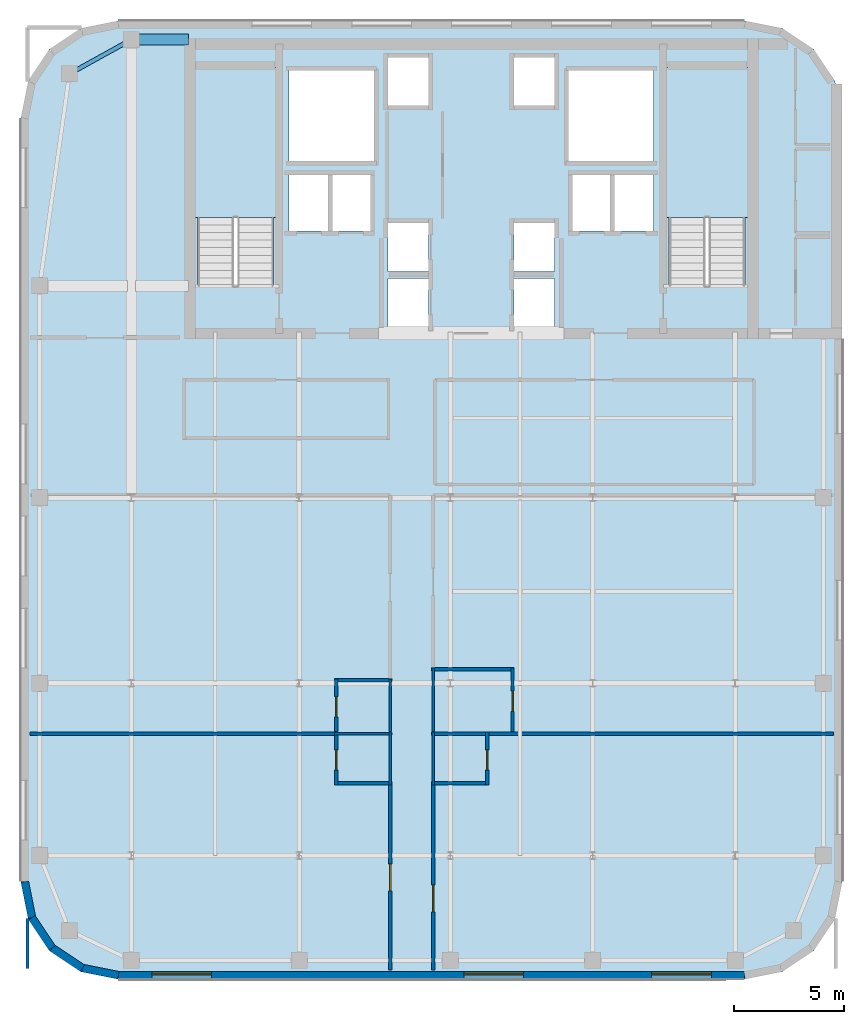
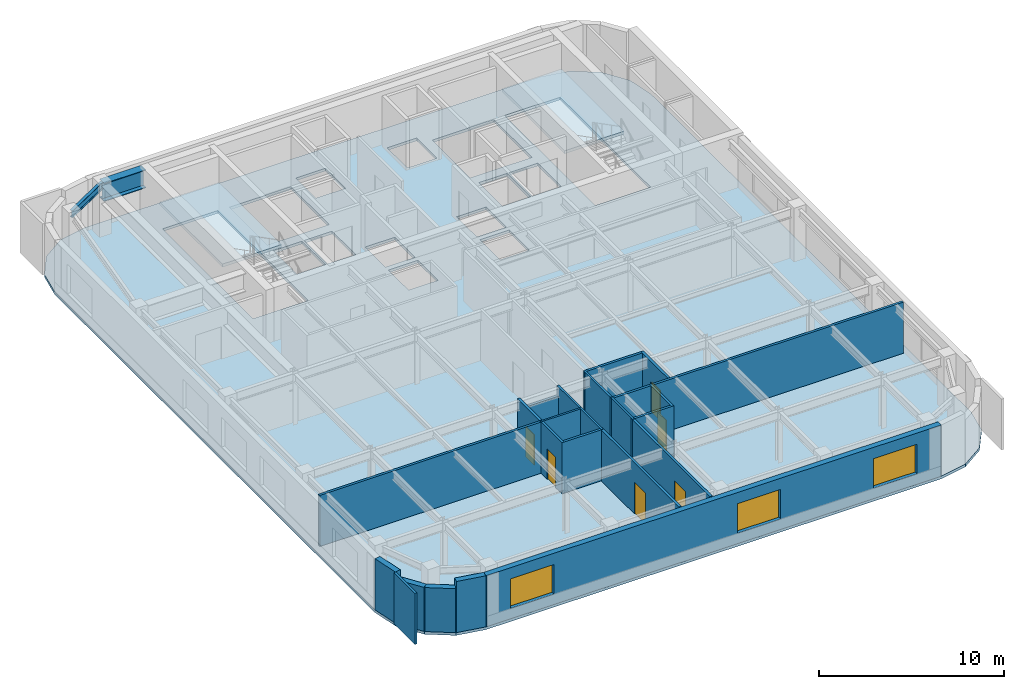
# One storey, part 3 of 10: 23 walls, 6 doors, 3 slabs, 3 windows, 2 beams, 9 openings, 2 elements without a shape of their own.
"""IFC4 building model written with IfcOpenShell, lengths in metres."""

from ifc_helpers import new_model, si_unit, direction, frame, frame_2d, origin, origin_2d, place, context, subcontext, project, spatial, polyline, rectangle, i_section, outline, extrude, source, transform, mapped, material, layer, layer_set, material_profile, profile_set, type_object, type_shapes, element, fill, aggregate, save


model = new_model("IFC4")

# Units and contexts
model_context = context("Model", 3, precision=1e-05, world=origin(), true_north=direction((0.0, 1.0)))
body_context = subcontext(model_context, "Body", "Model", "MODEL_VIEW")
ifc_project = project(units=[si_unit("LENGTHUNIT", "METRE"), si_unit("AREAUNIT", "SQUARE_METRE"), si_unit("VOLUMEUNIT", "CUBIC_METRE"), si_unit("PLANEANGLEUNIT", "RADIAN"), si_unit("MASSUNIT", "GRAM", prefix="KILO")], contexts=[model_context])

# Site, building, storey
site_placement = place(None, origin())
site = spatial("IfcSite", under=ifc_project, at=site_placement, CompositionType="ELEMENT")
building_placement = place(site_placement, origin())
building = spatial("IfcBuilding", under=site, at=building_placement, Name="Tolvann Quenvar Hotel", CompositionType="ELEMENT")
storey_placement = place(building_placement, frame((0.0, 0.0, 220.35009765625)))
storey = spatial("IfcBuildingStorey", under=building, at=storey_placement, Name="L58", CompositionType="ELEMENT", Elevation=220.35009765625)

# Beams
ifc_material_1 = material(Name="Steel Grade 350", Category="steel")
ifc_material_profile_1 = material_profile(ifc_material_1, i_section(OverallWidth=0.5, OverallDepth=1.199951171875, WebThickness=0.01611328125, FlangeThickness=0.0400390625, at=origin_2d()), Name="1200WB455")
ifc_profile_set_1 = profile_set([ifc_material_profile_1], Name="Steel Grade 350")
beam_type_1 = type_object("IfcBeamType", Name="BM_TG_1200WB455", PredefinedType="USERDEFINED", material=ifc_profile_set_1)
shared_shape_1 = source(origin(), body_context, "Body", "SweptSolid", [
    extrude(i_section(OverallWidth=0.5, OverallDepth=1.199951171875, WebThickness=0.01611328125, FlangeThickness=0.0400390625, at=origin_2d()), origin(), (0.0, 0.0, 1.0), 2.599853515625),
])
type_shapes(beam_type_1, [shared_shape_1])
beam_1_placement = place(storey_placement, frame((7.60009765625, 45.14990234375, 2.77001953125), z_axis=(1.0, 0.0, 0.0), x_axis=(0.0, 1.0, 0.0)))
element("IfcBeam", 1, at=beam_1_placement, inside=storey, type_object=beam_type_1, Name="BM-L58-CTW-CN", ObjectType="TRANSFER GIRDER", PredefinedType="USERDEFINED", context=body_context, shape_type="MappedRepresentation", body=[
    mapped(shared_shape_1, transform((0.0, 0.0, 0.0), x_axis=(1.0, 0.0, 0.0), y_axis=(0.0, 1.0, 0.0), z_axis=(0.0, 0.0, 1.0), scale=1.0)),
])
ifc_material_profile_2 = material_profile(ifc_material_1, i_section(OverallWidth=0.19091796875, OverallDepth=0.4599609375, WebThickness=0.010009765625, FlangeThickness=0.01611328125, FilletRadius=0.011474609375, at=origin_2d()), Name="460UB82")
ifc_profile_set_2 = profile_set([ifc_material_profile_2], Name="Steel Grade 350")
beam_type_2 = type_object("IfcBeamType", Name="BM_SPAND_460UB82", PredefinedType="SPANDREL", material=ifc_profile_set_2)
shared_shape_2 = source(origin(), body_context, "Body", "SweptSolid", [
    extrude(i_section(OverallWidth=0.19091796875, OverallDepth=0.4599609375, WebThickness=0.010009765625, FlangeThickness=0.01611328125, FilletRadius=0.011474609375, at=origin_2d()), origin(), (0.0, 0.0, 1.0), 3.200439453125),
])
type_shapes(beam_type_2, [shared_shape_2])
beam_2_placement = place(storey_placement, frame((4.800048828125, 43.60009765625, 3.139892578125), z_axis=(0.87492264453, 0.48426270359, 0.0), x_axis=(-0.48426270359, 0.87492264453, 0.0)))
element("IfcBeam", 2, at=beam_2_placement, inside=storey, type_object=beam_type_2, Name="BM-L58-FLK-W3", PredefinedType="SPANDREL", context=body_context, shape_type="MappedRepresentation", body=[
    mapped(shared_shape_2, transform((0.0, 0.0, 0.0), x_axis=(1.0, 0.0, 0.0), y_axis=(0.0, 1.0, 0.0), z_axis=(0.0, 0.0, 1.0), scale=1.0)),
])

# Stair, slab
ifc_material_2 = material(Name="Concrete N40 (40 MPa)", Category="concrete")
stair_type = type_object("IfcStairType", Name="STAIR", PredefinedType="HALF_TURN_STAIR", material=ifc_material_2)
stair_1_placement = place(storey_placement, origin())
stair_1 = element("IfcStair", 3, at=stair_1_placement, inside=storey, type_object=stair_type, Name="L58 ST-C1", PredefinedType="HALF_TURN_STAIR")
ifc_layer_1 = layer(ifc_material_2, 0.199951171875)
ifc_layer_set_1 = layer_set([ifc_layer_1], Name="Concrete N40 (40 MPa)")
slab_type_1 = type_object("IfcSlabType", Name="SLAB_LANDING", PredefinedType="LANDING", material=ifc_layer_set_1)
slab_1_placement = place(storey_placement, frame((0.0, 0.0, 1.574951171875)))
slab_1 = element("IfcSlab", 4, at=slab_1_placement, type_object=slab_type_1, Name="ST-C1 landing 1", PredefinedType="LANDING", context=body_context, shape_type="SweptSolid", body=[
    extrude(outline(polyline([(14.179931640625, 37.10498046875), (14.179931640625, 43.8798828125), (10.469970703125, 43.8798828125), (10.469970703125, 37.10498046875), (14.179931640625, 37.10498046875)])), origin(), (0.0, 0.0, 1.0), 0.199951171875),
])
aggregate(stair_1, [slab_1])

stair_2_placement = place(storey_placement, origin())
stair_2 = element("IfcStair", 5, at=stair_2_placement, inside=storey, type_object=stair_type, Name="L58 ST-C2", PredefinedType="HALF_TURN_STAIR")
slab_2_placement = place(storey_placement, frame((0.0, 0.0, 1.574951171875)))
slab_2 = element("IfcSlab", 6, at=slab_2_placement, type_object=slab_type_1, Name="ST-C2 landing 1", PredefinedType="LANDING", context=body_context, shape_type="SweptSolid", body=[
    extrude(outline(polyline([(35.530029296875, 37.10498046875), (35.530029296875, 43.8798828125), (31.820068359375, 43.8798828125), (31.820068359375, 37.10498046875), (35.530029296875, 37.10498046875)])), origin(), (0.0, 0.0, 1.0), 0.199951171875),
])
aggregate(stair_2, [slab_2])

# Slab
ifc_layer_2 = layer(ifc_material_2, 0.179931640625)
ifc_layer_set_2 = layer_set([ifc_layer_2], Name="Concrete N40 (40 MPa)")
slab_type_2 = type_object("IfcSlabType", Name="SLAB_TWR_180", PredefinedType="FLOOR", material=ifc_layer_set_2)
slab_3_placement = place(storey_placement, frame((0.0, 0.0, -0.18017578125)))
element("IfcSlab", 7, at=slab_3_placement, inside=storey, type_object=slab_type_2, Name="Level L58 Structural Floor Slab", PredefinedType="FLOOR", context=body_context, shape_type="SweptSolid", body=[
    extrude(outline(polyline([(2.60009765625, 7.0), (2.934814453125, 5.316162109375), (3.888671875, 3.888671875), (5.316162109375, 2.934814453125), (7.0, 2.60009765625), (35.39990234375, 2.60009765625), (37.083740234375, 2.934814453125), (38.51123046875, 3.888671875), (39.465087890625, 5.316162109375), (39.800048828125, 7.0), (39.800048828125, 41.60009765625), (39.465087890625, 43.28369140625), (38.51123046875, 44.711181640625), (37.083740234375, 45.6650390625), (35.39990234375, 46.0), (7.0, 46.0), (5.316162109375, 45.6650390625), (3.888671875, 44.711181640625), (2.934814453125, 43.28369140625), (2.60009765625, 41.60009765625), (2.60009765625, 7.0)]), holes=[polyline([(31.949951171875, 34.02490234375), (31.949951171875, 43.800048828125), (35.39990234375, 43.800048828125), (35.39990234375, 34.02490234375), (31.949951171875, 34.02490234375)]), polyline([(27.39990234375, 43.75), (31.25, 43.75), (31.25, 39.64990234375), (27.39990234375, 39.64990234375), (27.39990234375, 43.75)]), polyline([(29.449951171875, 39.02001953125), (31.25, 39.02001953125), (31.25, 36.47998046875), (29.449951171875, 36.47998046875), (29.449951171875, 39.02001953125)]), polyline([(27.574951171875, 39.02001953125), (29.324951171875, 39.02001953125), (29.324951171875, 36.47998046875), (27.574951171875, 36.47998046875), (27.574951171875, 39.02001953125)]), polyline([(24.929931640625, 36.840087890625), (26.77001953125, 36.840087890625), (26.77001953125, 34.659912109375), (24.929931640625, 34.659912109375), (24.929931640625, 36.840087890625)]), polyline([(24.929931640625, 44.340087890625), (26.77001953125, 44.340087890625), (26.77001953125, 42.159912109375), (24.929931640625, 42.159912109375), (24.929931640625, 44.340087890625)]), polyline([(24.929931640625, 32.159912109375), (24.929931640625, 34.340087890625), (26.77001953125, 34.340087890625), (26.77001953125, 32.159912109375), (24.929931640625, 32.159912109375)]), polyline([(19.22998046875, 36.840087890625), (21.070068359375, 36.840087890625), (21.070068359375, 34.659912109375), (19.22998046875, 34.659912109375), (19.22998046875, 36.840087890625)]), polyline([(19.22998046875, 44.340087890625), (21.070068359375, 44.340087890625), (21.070068359375, 42.159912109375), (19.22998046875, 42.159912109375), (19.22998046875, 44.340087890625)]), polyline([(19.22998046875, 32.159912109375), (19.22998046875, 34.340087890625), (21.070068359375, 34.340087890625), (21.070068359375, 32.159912109375), (19.22998046875, 32.159912109375)]), polyline([(14.75, 43.75), (18.60009765625, 43.75), (18.60009765625, 39.64990234375), (14.75, 39.64990234375), (14.75, 43.75)]), polyline([(16.675048828125, 39.02001953125), (18.425048828125, 39.02001953125), (18.425048828125, 36.47998046875), (16.675048828125, 36.47998046875), (16.675048828125, 39.02001953125)]), polyline([(14.75, 39.02001953125), (16.550048828125, 39.02001953125), (16.550048828125, 36.47998046875), (14.75, 36.47998046875), (14.75, 39.02001953125)]), polyline([(10.60009765625, 34.02490234375), (10.60009765625, 43.800048828125), (14.050048828125, 43.800048828125), (14.050048828125, 34.02490234375), (10.60009765625, 34.02490234375)])]), origin(), (0.0, 0.0, 1.0), 0.18017578125),
])

# Walls
ifc_material_3 = material(Name="Kiln-fired red and buff architectural clay brickwork and terracotta masonry", Category="masonry")
ifc_layer_3 = layer(ifc_material_3, 0.35009765625)
ifc_layer_set_3 = layer_set([ifc_layer_3], Name="Kiln-fired red and buff architectural clay brickwork and terracotta masonry")
wall_type_1 = type_object("IfcWallType", Name="WALL_EXT_BRICK_350", PredefinedType="SOLIDWALL", material=ifc_layer_set_3)
for number, where, z_axis, x_axis, name in (
    (8, (3.099609375, 5.384521484375, 0.0), (0.0, 0.0, 1.0), (0.555623290322, -0.831434158098, 0.0), "Exterior Chicago Brick Wall L58-E01"),
    (9, (4.014892578125, 4.014892578125, 0.0), (0.0, 0.0, 1.0), (0.831434158098, -0.555623290322, 0.0), "Exterior Chicago Brick Wall L58-E02"),
):
    element("IfcWall", number, at=place(storey_placement, frame(where, z_axis=z_axis, x_axis=x_axis)), inside=storey, type_object=wall_type_1, Name=name, PredefinedType="SOLIDWALL", context=body_context, shape_type="SweptSolid", body=[
        extrude(rectangle(XDim=1.647216796875, YDim=0.35009765625, at=frame_2d((0.82373046875, 0.0))), origin(), (0.0, 0.0, 1.0), 2.89990234375),
    ])
wall_1_placement = place(storey_placement, frame((5.384521484375, 3.099609375, 0.0), z_axis=(0.0, 0.0, 1.0), x_axis=(0.980788844421, -0.195072403631, 0.0)))
element("IfcWall", 10, at=wall_1_placement, inside=storey, type_object=wall_type_1, Name="Exterior Chicago Brick Wall L58-E03", PredefinedType="SOLIDWALL", context=body_context, shape_type="SweptSolid", body=[
    extrude(rectangle(XDim=1.66455078125, YDim=0.35009765625, at=frame_2d((0.832275390625, 0.0))), origin(), (0.0, 0.0, 1.0), 3.369873046875),
])

# Wall, openings, windows
wall_2_placement = place(storey_placement, frame((7.01708984375, 2.77490234375, 0.0), z_axis=(0.0, 0.0, 1.0), x_axis=(1.0, 0.0, 0.0)))
wall_2 = element("IfcWall", 11, at=wall_2_placement, inside=storey, type_object=wall_type_1, Name="Exterior Chicago Brick Wall L58-E04", PredefinedType="SOLIDWALL", context=body_context, shape_type="SweptSolid", body=[
    extrude(rectangle(XDim=28.36572265625, YDim=0.35009765625, at=frame_2d((14.182861328125, 0.0))), origin(), (0.0, 0.0, 1.0), 3.369873046875),
])
opening_1_placement = place(wall_2_placement, frame((1.513916015625, 0.0, 0.679931640625)))
opening_1 = element("IfcOpeningElement", 12, at=opening_1_placement, cuts=wall_2, Name="Opening W-04", PredefinedType="OPENING", context=body_context, shape_type="SweptSolid", body=[
    extrude(rectangle(XDim=2.699951171875, YDim=1.949951171875, at=frame_2d((1.35009765625, 0.97509765625))), frame((0.0, 0.18505859375, 0.0), z_axis=(0.0, -1.0, 0.0), x_axis=(1.0, 0.0, 0.0)), (0.0, 0.0, 1.0), 0.3701171875),
])
opening_2_placement = place(wall_2_placement, frame((15.64697265625, 0.0, 0.679931640625)))
opening_2 = element("IfcOpeningElement", 13, at=opening_2_placement, cuts=wall_2, Name="Opening W-04", PredefinedType="OPENING", context=body_context, shape_type="SweptSolid", body=[
    extrude(rectangle(XDim=2.699951171875, YDim=1.949951171875, at=frame_2d((1.35009765625, 0.97509765625))), frame((0.0, 0.18505859375, 0.0), z_axis=(0.0, -1.0, 0.0), x_axis=(1.0, 0.0, 0.0)), (0.0, 0.0, 1.0), 0.3701171875),
])
opening_3_placement = place(wall_2_placement, frame((24.152099609375, 0.0, 0.679931640625)))
opening_3 = element("IfcOpeningElement", 14, at=opening_3_placement, cuts=wall_2, Name="Opening W-04", PredefinedType="OPENING", context=body_context, shape_type="SweptSolid", body=[
    extrude(rectangle(XDim=2.699951171875, YDim=1.949951171875, at=frame_2d((1.35009765625, 0.97509765625))), frame((0.0, 0.18505859375, 0.0), z_axis=(0.0, -1.0, 0.0), x_axis=(1.0, 0.0, 0.0)), (0.0, 0.0, 1.0), 0.3701171875),
])
ifc_material_4 = material(Name="Thermally broken bronze-anodised aluminium frame with double low-E glazing", Category="aluminium")
window_type = type_object("IfcWindowType", Name="WIN_STE_2700x2150", PartitioningType="TRIPLE_PANEL_HORIZONTAL", PredefinedType="WINDOW", material=ifc_material_4)
shared_shape_3 = source(origin(), body_context, "Body", "SweptSolid", [
    extrude(rectangle(XDim=2.699951171875, YDim=1.949951171875, at=frame_2d((1.35009765625, 0.97509765625))), frame((0.0, 0.090087890625, 0.0), z_axis=(0.0, -1.0, 0.0), x_axis=(1.0, 0.0, 0.0)), (0.0, 0.0, 1.0), 0.06005859375),
])
type_shapes(window_type, [shared_shape_3])
window_1_placement = place(opening_1_placement, origin())
window_1 = element("IfcWindow", 15, at=window_1_placement, inside=storey, type_object=window_type, Name="Chicago Window W-04 (EW-L58-E04-W01)", OverallHeight=1.949951171875, OverallWidth=2.699951171875, PartitioningType="TRIPLE_PANEL_HORIZONTAL", PredefinedType="WINDOW", context=body_context, shape_type="MappedRepresentation", body=[
    mapped(shared_shape_3, transform((0.0, 0.0, 0.0), x_axis=(1.0, 0.0, 0.0), y_axis=(0.0, 1.0, 0.0), z_axis=(0.0, 0.0, 1.0), scale=1.0)),
])
fill(opening_1, window_1)
window_2_placement = place(opening_2_placement, origin())
window_2 = element("IfcWindow", 16, at=window_2_placement, inside=storey, type_object=window_type, Name="Chicago Window W-04 (EW-L58-E04-W02)", OverallHeight=1.949951171875, OverallWidth=2.699951171875, PartitioningType="TRIPLE_PANEL_HORIZONTAL", PredefinedType="WINDOW", context=body_context, shape_type="MappedRepresentation", body=[
    mapped(shared_shape_3, transform((0.0, 0.0, 0.0), x_axis=(1.0, 0.0, 0.0), y_axis=(0.0, 1.0, 0.0), z_axis=(0.0, 0.0, 1.0), scale=1.0)),
])
fill(opening_2, window_2)
window_3_placement = place(opening_3_placement, origin())
window_3 = element("IfcWindow", 17, at=window_3_placement, inside=storey, type_object=window_type, Name="Chicago Window W-04 (EW-L58-E04-W03)", OverallHeight=1.949951171875, OverallWidth=2.699951171875, PartitioningType="TRIPLE_PANEL_HORIZONTAL", PredefinedType="WINDOW", context=body_context, shape_type="MappedRepresentation", body=[
    mapped(shared_shape_3, transform((0.0, 0.0, 0.0), x_axis=(1.0, 0.0, 0.0), y_axis=(0.0, 1.0, 0.0), z_axis=(0.0, 0.0, 1.0), scale=1.0)),
])
fill(opening_3, window_3)

# Walls
wall_3_placement = place(storey_placement, frame((2.77490234375, 7.01708984375, 0.0), z_axis=(0.0, 0.0, 1.0), x_axis=(0.195072403631, -0.980788844421, 0.0)))
element("IfcWall", 18, at=wall_3_placement, inside=storey, type_object=wall_type_1, Name="Exterior Chicago Brick Wall L58-E20", PredefinedType="SOLIDWALL", context=body_context, shape_type="SweptSolid", body=[
    extrude(rectangle(XDim=1.66455078125, YDim=0.35009765625, at=frame_2d((0.832275390625, 0.0))), origin(), (0.0, 0.0, 1.0), 3.369873046875),
])
ifc_material_5 = material(Name="Moisture-resistant acoustic plumbing wall assembly")
ifc_layer_4 = layer(ifc_material_5, 0.1201171875)
ifc_layer_set_4 = layer_set([ifc_layer_4], Name="Moisture-resistant acoustic plumbing wall assembly")
wall_type_2 = type_object("IfcWallType", Name="WALL_PART_BATH_120", PredefinedType="PLUMBINGWALL", material=ifc_layer_set_4)
wall_4_placement = place(storey_placement, frame((16.81005859375, 13.719970703125, 0.0), z_axis=(0.0, 0.0, 1.0), x_axis=(1.0, 0.0, 0.0)))
element("IfcWall", 19, at=wall_4_placement, inside=storey, type_object=wall_type_2, Name="Non-Rated Plumbing Partition PT-SPC-L58-ENS-WO01-N", PredefinedType="PLUMBINGWALL", context=body_context, shape_type="SweptSolid", body=[
    extrude(rectangle(XDim=2.58984375, YDim=0.1201171875, at=frame_2d((1.294921875, 0.0))), origin(), (0.0, 0.0, 1.0), 3.369873046875),
])
wall_5_placement = place(storey_placement, frame((19.330078125, 11.39990234375, 0.0), z_axis=(0.0, 0.0, 1.0), x_axis=(0.0, 1.0, 0.0)))
element("IfcWall", 20, at=wall_5_placement, inside=storey, type_object=wall_type_2, Name="Non-Rated Plumbing Partition PT-SPC-L58-ENS-WO01-E", PredefinedType="PLUMBINGWALL", context=body_context, shape_type="SweptSolid", body=[
    extrude(rectangle(XDim=2.39013671875, YDim=0.1201171875, at=frame_2d((1.195068359375, 0.0))), origin(), (0.0, 0.0, 1.0), 3.369873046875),
])
wall_6_placement = place(storey_placement, frame((19.330078125, 13.81005859375, 0.0), z_axis=(0.0, 0.0, 1.0), x_axis=(0.0, 1.0, 0.0)))
element("IfcWall", 21, at=wall_6_placement, inside=storey, type_object=wall_type_2, Name="Non-Rated Plumbing Partition PT-SPC-L58-ENS-WO02-E", PredefinedType="PLUMBINGWALL", context=body_context, shape_type="SweptSolid", body=[
    extrude(rectangle(XDim=2.389892578125, YDim=0.1201171875, at=frame_2d((1.19482421875, 0.0))), origin(), (0.0, 0.0, 1.0), 3.369873046875),
])
wall_7_placement = place(storey_placement, frame((21.27001953125, 11.39990234375, 0.0), z_axis=(0.0, 0.0, 1.0), x_axis=(0.0, 1.0, 0.0)))
element("IfcWall", 22, at=wall_7_placement, inside=storey, type_object=wall_type_2, Name="Non-Rated Plumbing Partition PT-SPC-L58-ENS-EO01-W", PredefinedType="PLUMBINGWALL", context=body_context, shape_type="SweptSolid", body=[
    extrude(rectangle(XDim=2.39013671875, YDim=0.1201171875, at=frame_2d((1.195068359375, 0.0))), origin(), (0.0, 0.0, 1.0), 3.369873046875),
])
wall_8_placement = place(storey_placement, frame((21.27001953125, 13.81005859375, 0.0), z_axis=(0.0, 0.0, 1.0), x_axis=(0.0, 1.0, 0.0)))
element("IfcWall", 23, at=wall_8_placement, inside=storey, type_object=wall_type_2, Name="Non-Rated Plumbing Partition PT-SPC-L58-ENS-EO02-W", PredefinedType="PLUMBINGWALL", context=body_context, shape_type="SweptSolid", body=[
    extrude(rectangle(XDim=2.889892578125, YDim=0.1201171875, at=frame_2d((1.44482421875, 0.0))), origin(), (0.0, 0.0, 1.0), 3.369873046875),
])

# Wall, opening, door
ifc_material_6 = material(Name="Acoustic twin-stud fire-rated gypsum plasterboard partition")
ifc_layer_5 = layer(ifc_material_6, 0.14990234375)
ifc_layer_set_5 = layer_set([ifc_layer_5], Name="Acoustic twin-stud fire-rated gypsum plasterboard partition")
wall_type_3 = type_object("IfcWallType", Name="WALL_PART_SUITE_150", PredefinedType="PARTITIONING", material=ifc_layer_set_5)
wall_9_placement = place(storey_placement, frame((16.8798828125, 11.39990234375, 0.0), z_axis=(0.0, 0.0, 1.0), x_axis=(0.0, 1.0, 0.0)))
wall_9 = element("IfcWall", 24, at=wall_9_placement, inside=storey, type_object=wall_type_3, Name="Interior Partition PT-SPC-L58-ENS-WO01-ENT", PredefinedType="PARTITIONING", context=body_context, shape_type="SweptSolid", body=[
    extrude(rectangle(XDim=2.39013671875, YDim=0.14990234375, at=frame_2d((1.195068359375, 0.0))), origin(), (0.0, 0.0, 1.0), 3.369873046875),
])
opening_4_placement = place(wall_9_placement, frame((0.6650390625, 0.0, 0.0)))
opening_4 = element("IfcOpeningElement", 25, at=opening_4_placement, cuts=wall_9, Name="Opening WD-01", PredefinedType="OPENING", context=body_context, shape_type="SweptSolid", body=[
    extrude(rectangle(XDim=0.919921875, YDim=2.010009765625, at=frame_2d((0.4599609375, 1.0048828125))), frame((0.0, 0.0849609375, 0.0), z_axis=(0.0, -1.0, 0.0), x_axis=(1.0, 0.0, 0.0)), (0.0, 0.0, 1.0), 0.169921875),
])
ifc_material_7 = material(Name="Solid-core American oak acoustic fire door leaf in steel frame", Category="steel")
door_type_1 = type_object("IfcDoorType", Name="DOOR_WC_920", OperationType="NOTDEFINED", PredefinedType="DOOR", material=ifc_material_7)
shared_shape_4 = source(origin(), body_context, "Body", "SweptSolid", [
    extrude(rectangle(XDim=0.919921875, YDim=2.010009765625, at=frame_2d((0.4599609375, 1.0048828125))), frame((0.0, 0.02490234375, 0.0), z_axis=(0.0, -1.0, 0.0), x_axis=(1.0, 0.0, 0.0)), (0.0, 0.0, 1.0), 0.050048828125),
])
type_shapes(door_type_1, [shared_shape_4])
door_1_placement = place(opening_4_placement, origin())
door_1 = element("IfcDoor", 26, at=door_1_placement, inside=storey, type_object=door_type_1, Name="Interior Door DOOR-SPC-L58-ENS-WO01", OperationType="SINGLE_SWING_LEFT", OverallHeight=2.010009765625, OverallWidth=0.919921875, PredefinedType="DOOR", context=body_context, shape_type="MappedRepresentation", body=[
    mapped(shared_shape_4, transform((0.0, 0.0, 0.0), x_axis=(1.0, 0.0, 0.0), y_axis=(0.0, 1.0, 0.0), z_axis=(0.0, 0.0, 1.0), scale=1.0)),
])
fill(opening_4, door_1)

# Wall
wall_10_placement = place(storey_placement, frame((16.81005859375, 11.469970703125, 0.0), z_axis=(0.0, 0.0, 1.0), x_axis=(1.0, 0.0, 0.0)))
element("IfcWall", 27, at=wall_10_placement, inside=storey, type_object=wall_type_3, Name="Interior Partition PT-SPC-L58-ENS-WO01-S", PredefinedType="PARTITIONING", context=body_context, shape_type="SweptSolid", body=[
    extrude(rectangle(XDim=2.58984375, YDim=0.14990234375, at=frame_2d((1.294921875, 0.0))), origin(), (0.0, 0.0, 1.0), 3.369873046875),
])

# Wall, opening, door
wall_11_placement = place(storey_placement, frame((16.8798828125, 13.81005859375, 0.0), z_axis=(0.0, 0.0, 1.0), x_axis=(0.0, 1.0, 0.0)))
wall_11 = element("IfcWall", 28, at=wall_11_placement, inside=storey, type_object=wall_type_3, Name="Interior Partition PT-SPC-L58-ENS-WO02-ENT", PredefinedType="PARTITIONING", context=body_context, shape_type="SweptSolid", body=[
    extrude(rectangle(XDim=2.389892578125, YDim=0.14990234375, at=frame_2d((1.19482421875, 0.0))), origin(), (0.0, 0.0, 1.0), 3.369873046875),
])
opening_5_placement = place(wall_11_placement, frame((0.6650390625, 0.0, 0.0)))
opening_5 = element("IfcOpeningElement", 29, at=opening_5_placement, cuts=wall_11, Name="Opening WD-01", PredefinedType="OPENING", context=body_context, shape_type="SweptSolid", body=[
    extrude(rectangle(XDim=0.919921875, YDim=2.010009765625, at=frame_2d((0.4599609375, 1.0048828125))), frame((0.0, 0.0849609375, 0.0), z_axis=(0.0, -1.0, 0.0), x_axis=(1.0, 0.0, 0.0)), (0.0, 0.0, 1.0), 0.169921875),
])
door_2_placement = place(opening_5_placement, origin())
door_2 = element("IfcDoor", 30, at=door_2_placement, inside=storey, type_object=door_type_1, Name="Interior Door DOOR-SPC-L58-ENS-WO02", OperationType="SINGLE_SWING_RIGHT", OverallHeight=2.010009765625, OverallWidth=0.919921875, PredefinedType="DOOR", context=body_context, shape_type="MappedRepresentation", body=[
    mapped(shared_shape_4, transform((0.0, 0.0, 0.0), x_axis=(1.0, 0.0, 0.0), y_axis=(0.0, 1.0, 0.0), z_axis=(0.0, 0.0, 1.0), scale=1.0)),
])
fill(opening_5, door_2)

# Wall
wall_12_placement = place(storey_placement, frame((16.81005859375, 16.1298828125, 0.0), z_axis=(0.0, 0.0, 1.0), x_axis=(1.0, 0.0, 0.0)))
element("IfcWall", 31, at=wall_12_placement, inside=storey, type_object=wall_type_3, Name="Interior Partition PT-SPC-L58-ENS-WO02-N", PredefinedType="PARTITIONING", context=body_context, shape_type="SweptSolid", body=[
    extrude(rectangle(XDim=2.58984375, YDim=0.14990234375, at=frame_2d((1.294921875, 0.0))), origin(), (0.0, 0.0, 1.0), 2.7578125),
])

# Wall, opening, door
wall_13_placement = place(storey_placement, frame((23.719970703125, 11.39990234375, 0.0), z_axis=(0.0, 0.0, 1.0), x_axis=(0.0, 1.0, 0.0)))
wall_13 = element("IfcWall", 32, at=wall_13_placement, inside=storey, type_object=wall_type_3, Name="Interior Partition PT-SPC-L58-ENS-EO01-ENT", PredefinedType="PARTITIONING", context=body_context, shape_type="SweptSolid", body=[
    extrude(rectangle(XDim=2.39013671875, YDim=0.14990234375, at=frame_2d((1.195068359375, 0.0))), origin(), (0.0, 0.0, 1.0), 3.369873046875),
])
opening_6_placement = place(wall_13_placement, frame((0.6650390625, 0.0, 0.0)))
opening_6 = element("IfcOpeningElement", 33, at=opening_6_placement, cuts=wall_13, Name="Opening WD-01", PredefinedType="OPENING", context=body_context, shape_type="SweptSolid", body=[
    extrude(rectangle(XDim=0.919921875, YDim=2.010009765625, at=frame_2d((0.4599609375, 1.0048828125))), frame((0.0, 0.0849609375, 0.0), z_axis=(0.0, -1.0, 0.0), x_axis=(1.0, 0.0, 0.0)), (0.0, 0.0, 1.0), 0.169921875),
])
door_3_placement = place(opening_6_placement, origin())
door_3 = element("IfcDoor", 34, at=door_3_placement, inside=storey, type_object=door_type_1, Name="Interior Door DOOR-SPC-L58-ENS-EO01", OperationType="SINGLE_SWING_LEFT", OverallHeight=2.010009765625, OverallWidth=0.919921875, PredefinedType="DOOR", context=body_context, shape_type="MappedRepresentation", body=[
    mapped(shared_shape_4, transform((0.0, 0.0, 0.0), x_axis=(1.0, 0.0, 0.0), y_axis=(0.0, 1.0, 0.0), z_axis=(0.0, 0.0, 1.0), scale=1.0)),
])
fill(opening_6, door_3)

# Walls
wall_14_placement = place(storey_placement, frame((21.199951171875, 11.469970703125, 0.0), z_axis=(0.0, 0.0, 1.0), x_axis=(1.0, 0.0, 0.0)))
element("IfcWall", 35, at=wall_14_placement, inside=storey, type_object=wall_type_3, Name="Interior Partition PT-SPC-L58-ENS-EO01-S", PredefinedType="PARTITIONING", context=body_context, shape_type="SweptSolid", body=[
    extrude(rectangle(XDim=2.590087890625, YDim=0.14990234375, at=frame_2d((1.294921875, 0.0))), origin(), (0.0, 0.0, 1.0), 3.369873046875),
])
wall_15_placement = place(storey_placement, frame((21.199951171875, 13.719970703125, 0.0), z_axis=(0.0, 0.0, 1.0), x_axis=(1.0, 0.0, 0.0)))
element("IfcWall", 36, at=wall_15_placement, inside=storey, type_object=wall_type_3, Name="Interior Partition PT-SPC-L58-ENS-EO01-N", PredefinedType="PARTITIONING", context=body_context, shape_type="SweptSolid", body=[
    extrude(rectangle(XDim=18.195068359375, YDim=0.14990234375, at=frame_2d((9.09765625, 0.0))), origin(), (0.0, 0.0, 1.0), 3.369873046875),
])

# Wall, opening, door
wall_16_placement = place(storey_placement, frame((24.8701171875, 13.81005859375, 0.0), z_axis=(0.0, 0.0, 1.0), x_axis=(0.0, 1.0, 0.0)))
wall_16 = element("IfcWall", 37, at=wall_16_placement, inside=storey, type_object=wall_type_3, Name="Interior Partition PT-SPC-L58-ENS-EO02-ENT", PredefinedType="PARTITIONING", context=body_context, shape_type="SweptSolid", body=[
    extrude(rectangle(XDim=2.889892578125, YDim=0.14990234375, at=frame_2d((1.44482421875, 0.0))), origin(), (0.0, 0.0, 1.0), 3.369873046875),
])
opening_7_placement = place(wall_16_placement, frame((0.9150390625, 0.0, 0.0)))
opening_7 = element("IfcOpeningElement", 38, at=opening_7_placement, cuts=wall_16, Name="Opening WD-01", PredefinedType="OPENING", context=body_context, shape_type="SweptSolid", body=[
    extrude(rectangle(XDim=0.919921875, YDim=2.010009765625, at=frame_2d((0.4599609375, 1.0048828125))), frame((0.0, 0.0849609375, 0.0), z_axis=(0.0, -1.0, 0.0), x_axis=(1.0, 0.0, 0.0)), (0.0, 0.0, 1.0), 0.169921875),
])
door_4_placement = place(opening_7_placement, origin())
door_4 = element("IfcDoor", 39, at=door_4_placement, inside=storey, type_object=door_type_1, Name="Interior Door DOOR-SPC-L58-ENS-EO02", OperationType="SINGLE_SWING_RIGHT", OverallHeight=2.010009765625, OverallWidth=0.919921875, PredefinedType="DOOR", context=body_context, shape_type="MappedRepresentation", body=[
    mapped(shared_shape_4, transform((0.0, 0.0, 0.0), x_axis=(1.0, 0.0, 0.0), y_axis=(0.0, 1.0, 0.0), z_axis=(0.0, 0.0, 1.0), scale=1.0)),
])
fill(opening_7, door_4)

# Wall
wall_17_placement = place(storey_placement, frame((21.199951171875, 16.6298828125, 0.0), z_axis=(0.0, 0.0, 1.0), x_axis=(1.0, 0.0, 0.0)))
element("IfcWall", 40, at=wall_17_placement, inside=storey, type_object=wall_type_3, Name="Interior Partition PT-SPC-L58-ENS-EO02-N", PredefinedType="PARTITIONING", context=body_context, shape_type="SweptSolid", body=[
    extrude(rectangle(XDim=3.739990234375, YDim=0.14990234375, at=frame_2d((1.8701171875, 0.0))), origin(), (0.0, 0.0, 1.0), 3.369873046875),
])

# Wall, opening, door
wall_18_placement = place(storey_placement, frame((19.330078125, 3.0048828125, 0.0), z_axis=(0.0, 0.0, 1.0), x_axis=(0.0, 1.0, 0.0)))
wall_18 = element("IfcWall", 41, at=wall_18_placement, inside=storey, type_object=wall_type_3, Name="Interior Partition PT-SPC-L58-RM-WO01-ENT", PredefinedType="PARTITIONING", context=body_context, shape_type="SweptSolid", body=[
    extrude(rectangle(XDim=8.385009765625, YDim=0.14990234375, at=frame_2d((4.1923828125, 0.0))), origin(), (0.0, 0.0, 1.0), 3.369873046875),
])
opening_8_placement = place(wall_18_placement, frame((3.590087890625, 0.0, 0.0)))
opening_8 = element("IfcOpeningElement", 42, at=opening_8_placement, cuts=wall_18, Name="Opening SD-02", PredefinedType="OPENING", context=body_context, shape_type="SweptSolid", body=[
    extrude(rectangle(XDim=1.219970703125, YDim=2.080078125, at=frame_2d((0.60986328125, 1.0400390625))), frame((0.0, 0.0849609375, 0.0), z_axis=(0.0, -1.0, 0.0), x_axis=(1.0, 0.0, 0.0)), (0.0, 0.0, 1.0), 0.169921875),
])
door_type_2 = type_object("IfcDoorType", Name="DOOR_VIP_1220", OperationType="NOTDEFINED", PredefinedType="DOOR", material=ifc_material_7)
shared_shape_5 = source(origin(), body_context, "Body", "SweptSolid", [
    extrude(rectangle(XDim=1.219970703125, YDim=2.080078125, at=frame_2d((0.60986328125, 1.0400390625))), frame((0.0, 0.02490234375, 0.0), z_axis=(0.0, -1.0, 0.0), x_axis=(1.0, 0.0, 0.0)), (0.0, 0.0, 1.0), 0.050048828125),
])
type_shapes(door_type_2, [shared_shape_5])
door_5_placement = place(opening_8_placement, origin())
door_5 = element("IfcDoor", 43, at=door_5_placement, inside=storey, type_object=door_type_2, Name="Interior Door DOOR-SPC-L58-RM-WO01", OperationType="SINGLE_SWING_LEFT", OverallHeight=2.080078125, OverallWidth=1.219970703125, PredefinedType="DOOR", context=body_context, shape_type="MappedRepresentation", body=[
    mapped(shared_shape_5, transform((0.0, 0.0, 0.0), x_axis=(1.0, 0.0, 0.0), y_axis=(0.0, 1.0, 0.0), z_axis=(0.0, 0.0, 1.0), scale=1.0)),
])
fill(opening_8, door_5)

# Walls
wall_19_placement = place(storey_placement, frame((3.0048828125, 13.719970703125, 0.0), z_axis=(0.0, 0.0, 1.0), x_axis=(1.0, 0.0, 0.0)))
element("IfcWall", 44, at=wall_19_placement, inside=storey, type_object=wall_type_3, Name="Interior Partition PT-SPC-L58-RM-WO01-E5", PredefinedType="PARTITIONING", context=body_context, shape_type="SweptSolid", body=[
    extrude(rectangle(XDim=13.855224609375, YDim=0.14990234375, at=frame_2d((6.927734375, 0.0))), origin(), (0.0, 0.0, 1.0), 3.369873046875),
])
wall_20_placement = place(storey_placement, frame((2.89990234375, 3.080078125, 0.0), z_axis=(0.0, 0.0, 1.0), x_axis=(0.0, 1.0, 0.0)))
element("IfcWall", 45, at=wall_20_placement, inside=storey, type_object=wall_type_3, Name="Interior Partition PT-SPC-L58-RM-WO01-E6", PredefinedType="PARTITIONING", context=body_context, shape_type="SweptSolid", body=[
    extrude(rectangle(XDim=2.264892578125, YDim=0.14990234375, at=frame_2d((1.13232421875, 0.0))), origin(), (0.0, 0.0, 1.0), 3.369873046875),
])

# Wall, opening, door
wall_21_placement = place(storey_placement, frame((21.27001953125, 3.0048828125, 0.0), z_axis=(0.0, 0.0, 1.0), x_axis=(0.0, 1.0, 0.0)))
wall_21 = element("IfcWall", 46, at=wall_21_placement, inside=storey, type_object=wall_type_3, Name="Interior Partition PT-SPC-L58-RM-EO01-ENT", PredefinedType="PARTITIONING", context=body_context, shape_type="SweptSolid", body=[
    extrude(rectangle(XDim=8.385009765625, YDim=0.14990234375, at=frame_2d((4.1923828125, 0.0))), origin(), (0.0, 0.0, 1.0), 3.369873046875),
])
opening_9_placement = place(wall_21_placement, frame((2.639892578125, 0.0, 0.0)))
opening_9 = element("IfcOpeningElement", 47, at=opening_9_placement, cuts=wall_21, Name="Opening SD-02", PredefinedType="OPENING", context=body_context, shape_type="SweptSolid", body=[
    extrude(rectangle(XDim=1.219970703125, YDim=2.080078125, at=frame_2d((0.60986328125, 1.0400390625))), frame((0.0, 0.0849609375, 0.0), z_axis=(0.0, -1.0, 0.0), x_axis=(1.0, 0.0, 0.0)), (0.0, 0.0, 1.0), 0.169921875),
])
door_6_placement = place(opening_9_placement, origin())
door_6 = element("IfcDoor", 48, at=door_6_placement, inside=storey, type_object=door_type_2, Name="Interior Door DOOR-SPC-L58-RM-EO01", OperationType="SINGLE_SWING_LEFT", OverallHeight=2.080078125, OverallWidth=1.219970703125, PredefinedType="DOOR", context=body_context, shape_type="MappedRepresentation", body=[
    mapped(shared_shape_5, transform((0.0, 0.0, 0.0), x_axis=(1.0, 0.0, 0.0), y_axis=(0.0, 1.0, 0.0), z_axis=(0.0, 0.0, 1.0), scale=1.0)),
])
fill(opening_9, door_6)

save(model, "model.ifc")
